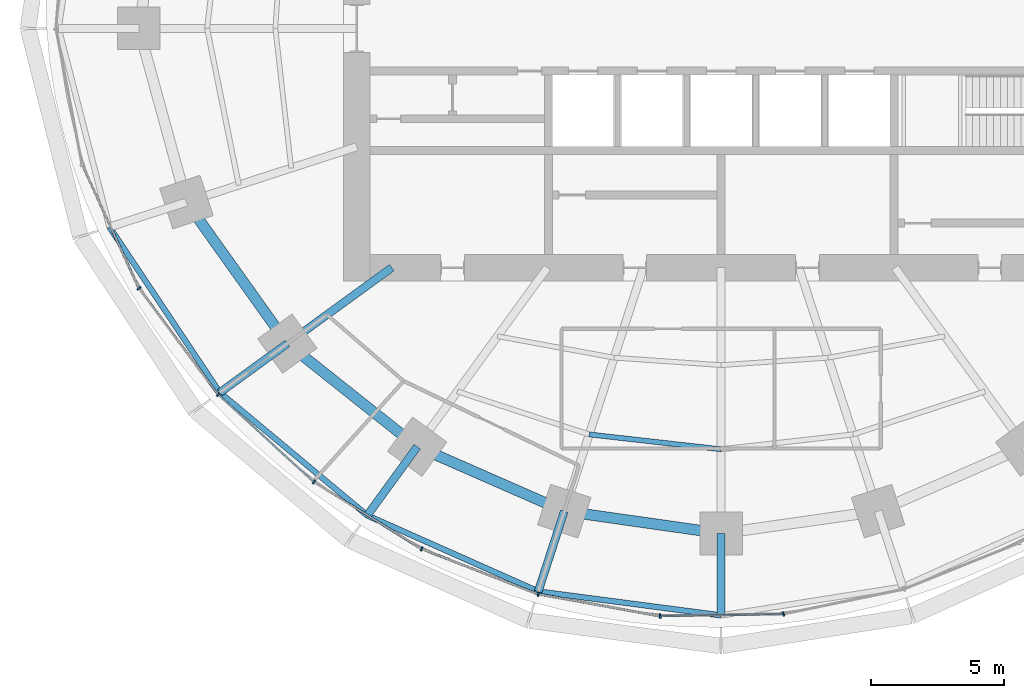
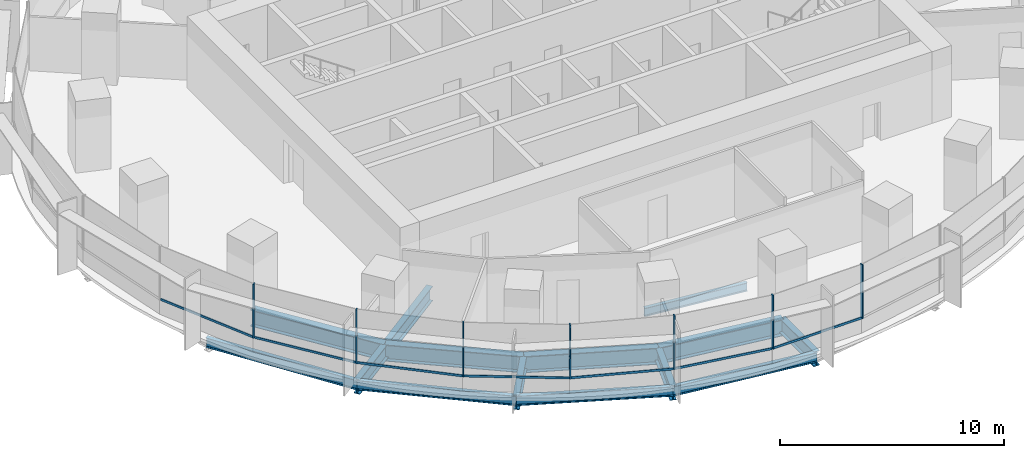
# One storey, part 2 of 14: 14 beams, 14 members, 2 elements without a shape of their own.
"""IFC4 building model written with IfcOpenShell, lengths in metres."""

from ifc_helpers import new_model, si_unit, direction, frame, origin, origin_2d, place, context, subcontext, project, spatial, rectangle, i_section, extrude, material, material_profile, profile_set, type_object, element, aggregate, save


model = new_model("IFC4")

# Units and contexts
model_context = context("Model", 3, precision=1e-05, world=origin(), true_north=direction((0.0, 1.0)))
body_context = subcontext(model_context, "Body", "Model", "MODEL_VIEW")
ifc_project = project(units=[si_unit("LENGTHUNIT", "METRE"), si_unit("AREAUNIT", "SQUARE_METRE"), si_unit("VOLUMEUNIT", "CUBIC_METRE"), si_unit("PLANEANGLEUNIT", "RADIAN"), si_unit("MASSUNIT", "GRAM", prefix="KILO")], contexts=[model_context])

# Site, building, storey
site_placement = place(None, origin())
site = spatial("IfcSite", under=ifc_project, at=site_placement, CompositionType="ELEMENT")
building_placement = place(site_placement, origin())
building = spatial("IfcBuilding", under=site, at=building_placement, Name="Marramba Exchange Tower", CompositionType="ELEMENT")
storey_placement = place(building_placement, frame((0.0, 0.0, 158.699951171875)))
storey = spatial("IfcBuildingStorey", under=building, at=storey_placement, Name="L38", CompositionType="ELEMENT", Elevation=158.699951171875)

# Beams
ifc_material_1 = material(Name="Steel AS/NZS 3679.2 grade 300", Category="steel")
ifc_material_profile_1 = material_profile(ifc_material_1, i_section(OverallWidth=0.300048828125, OverallDepth=0.800048828125, WebThickness=0.013916015625, FlangeThickness=0.031982421875, at=origin_2d()), Name="800WB192")
ifc_profile_set_1 = profile_set([ifc_material_profile_1], Name="Steel AS/NZS 3679.2 grade 300")
beam_type_1 = type_object("IfcBeamType", Name="Cantilever girder 800WB192", PredefinedType="BEAM", material=ifc_profile_set_1)
beam_1_placement = place(storey_placement, frame((-16.3154296875, -11.853759765625, -0.56005859375), z_axis=(-0.809025813822, -0.587773113173, 0.0), x_axis=(0.587773113173, -0.809025813822, 0.0)))
element("IfcBeam", 1, at=beam_1_placement, inside=storey, type_object=beam_type_1, Name="Cantilever girder L38 TC13", PredefinedType="BEAM", context=body_context, shape_type="SweptSolid", body=[
    extrude(i_section(OverallWidth=0.300048828125, OverallDepth=0.800048828125, WebThickness=0.013916015625, FlangeThickness=0.031982421875, at=origin_2d()), origin(), (0.0, 0.0, 1.0), 3.132568359375),
])
beam_2_placement = place(storey_placement, frame((-11.430419921875, -15.732666015625, -0.56005859375), z_axis=(-0.587767308424, -0.809030031054, 0.0), x_axis=(0.809030031054, -0.587767308424, 0.0)))
element("IfcBeam", 2, at=beam_2_placement, inside=storey, type_object=beam_type_1, Name="Cantilever girder L38 TC14", PredefinedType="BEAM", context=body_context, shape_type="SweptSolid", body=[
    extrude(i_section(OverallWidth=0.300048828125, OverallDepth=0.800048828125, WebThickness=0.013916015625, FlangeThickness=0.031982421875, at=origin_2d()), origin(), (0.0, 0.0, 1.0), 3.195556640625),
])
beam_3_placement = place(storey_placement, frame((-5.899658203125, -18.156982421875, -0.56005859375), z_axis=(-0.309018232614, -0.951056113966, 0.0), x_axis=(0.951056113966, -0.309018232614, 0.0)))
element("IfcBeam", 3, at=beam_3_placement, inside=storey, type_object=beam_type_1, Name="Cantilever girder L38 TC15", PredefinedType="BEAM", context=body_context, shape_type="SweptSolid", body=[
    extrude(i_section(OverallWidth=0.300048828125, OverallDepth=0.800048828125, WebThickness=0.013916015625, FlangeThickness=0.031982421875, at=origin_2d()), origin(), (0.0, 0.0, 1.0), 3.173583984375),
])
beam_4_placement = place(storey_placement, frame((0.0, -18.99609375, -0.56005859375), z_axis=(0.0, -1.0, 0.0), x_axis=(1.0, 0.0, 0.0)))
element("IfcBeam", 4, at=beam_4_placement, inside=storey, type_object=beam_type_1, Name="Cantilever girder L38 TC16", PredefinedType="BEAM", context=body_context, shape_type="SweptSolid", body=[
    extrude(i_section(OverallWidth=0.300048828125, OverallDepth=0.800048828125, WebThickness=0.013916015625, FlangeThickness=0.031982421875, at=origin_2d()), origin(), (0.0, 0.0, 1.0), 3.080810546875),
])
ifc_material_2 = material(Name="Steel AS/NZS 3679.1 grade 300", Category="steel")
ifc_material_profile_2 = material_profile(ifc_material_2, i_section(OverallWidth=0.18994140625, OverallDepth=0.4541015625, WebThickness=0.008544921875, FlangeThickness=0.0126953125, FilletRadius=0.011474609375, at=origin_2d()), Name="460UB67.1")
ifc_profile_set_2 = profile_set([ifc_material_profile_2], Name="Steel AS/NZS 3679.1 grade 300")
beam_type_2 = type_object("IfcBeamType", Name="Floor joist 460UB67.1", PredefinedType="JOIST", material=ifc_profile_set_2)
beam_5_placement = place(storey_placement, frame((-4.9619140625, -15.271484375, -0.386962890625), z_axis=(0.993712018573, -0.111966174106, 0.0), x_axis=(0.111966174106, 0.993712018573, 0.0)))
element("IfcBeam", 5, at=beam_5_placement, inside=storey, type_object=beam_type_2, Name="Joist L38 bay 15 row 2", PredefinedType="JOIST", context=body_context, shape_type="SweptSolid", body=[
    extrude(i_section(OverallWidth=0.18994140625, OverallDepth=0.4541015625, WebThickness=0.008544921875, FlangeThickness=0.0126953125, FilletRadius=0.011474609375, at=origin_2d()), origin(), (0.0, 0.0, 1.0), 4.993408203125),
])

# Curtain wall, members
ifc_material_3 = material(Name="Aluminium framing, bronze anodised", Category="aluminium")
curtain_wall_type = type_object("IfcCurtainWallType", Name="Office ribbon curtain wall", PredefinedType="USERDEFINED", material=ifc_material_3)
curtain_wall_1_placement = place(storey_placement, origin())
curtain_wall_1 = element("IfcCurtainWall", 6, at=curtain_wall_1_placement, inside=storey, type_object=curtain_wall_type, Name="Curtain wall CW4 L38 F16-F20", ObjectType="RIBBON CURTAIN WALL", PredefinedType="USERDEFINED")
ifc_material_4 = material(Name="Aluminium mullion, bronze anodised", Category="aluminium")
ifc_material_profile_3 = material_profile(ifc_material_4, rectangle(XDim=0.159912109375, YDim=0.06005859375, at=origin_2d()), Name="CW4 mullion 60x160")
ifc_profile_set_3 = profile_set([ifc_material_profile_3], Name="Aluminium mullion, bronze anodised")
member_type_1 = type_object("IfcMemberType", Name="Office ribbon curtain wall mullion", PredefinedType="MULLION", material=ifc_profile_set_3)
member_1_placement = place(storey_placement, frame((-21.891357421875, -9.778564453125, 0.800048828125), z_axis=(0.0, 0.0, 1.0), x_axis=(0.802014400683, 0.597304697033, 0.0)))
member_1 = element("IfcMember", 7, at=member_1_placement, type_object=member_type_1, Name="CW4 mullion 1", PredefinedType="MULLION", context=body_context, shape_type="SweptSolid", body=[
    extrude(rectangle(XDim=0.159912109375, YDim=0.06005859375, at=origin_2d()), origin(), (0.0, 0.0, 1.0), 2.93994140625),
])
member_2_placement = place(storey_placement, frame((-18.90869140625, -13.774169921875, 0.800048828125), z_axis=(0.0, 0.0, 1.0), x_axis=(0.674995455115, 0.737821886077, 0.0)))
member_2 = element("IfcMember", 8, at=member_2_placement, type_object=member_type_1, Name="CW4 mullion 1", PredefinedType="MULLION", context=body_context, shape_type="SweptSolid", body=[
    extrude(rectangle(XDim=0.159912109375, YDim=0.06005859375, at=origin_2d()), origin(), (0.0, 0.0, 1.0), 2.93994140625),
])
member_3_placement = place(storey_placement, frame((-15.315673828125, -17.053955078125, 0.800048828125), z_axis=(0.0, 0.0, 1.0), x_axis=(0.52942844364, 0.84835459748, 0.0)))
member_3 = element("IfcMember", 9, at=member_3_placement, type_object=member_type_1, Name="CW4 mullion 1", PredefinedType="MULLION", context=body_context, shape_type="SweptSolid", body=[
    extrude(rectangle(XDim=0.159912109375, YDim=0.06005859375, at=origin_2d()), origin(), (0.0, 0.0, 1.0), 2.93994140625),
])

curtain_wall_2_placement = place(storey_placement, origin())
curtain_wall_2 = element("IfcCurtainWall", 10, at=curtain_wall_2_placement, inside=storey, type_object=curtain_wall_type, Name="Curtain wall CW4 L38 F21-F25", ObjectType="RIBBON CURTAIN WALL", PredefinedType="USERDEFINED")
member_4_placement = place(storey_placement, frame((-11.266845703125, -19.573974609375, 0.800048828125), z_axis=(0.0, 0.0, 1.0), x_axis=(0.36292490603, 0.931818390344, 0.0)))
member_4 = element("IfcMember", 11, at=member_4_placement, type_object=member_type_1, Name="CW4 mullion 1", PredefinedType="MULLION", context=body_context, shape_type="SweptSolid", body=[
    extrude(rectangle(XDim=0.159912109375, YDim=0.06005859375, at=origin_2d()), origin(), (0.0, 0.0, 1.0), 2.93994140625),
])
member_5_placement = place(storey_placement, frame((-6.881591796875, -21.27587890625, 0.800048828125), z_axis=(0.0, 0.0, 1.0), x_axis=(0.177992379115, 0.984031865834, 0.0)))
member_5 = element("IfcMember", 12, at=member_5_placement, type_object=member_type_1, Name="CW4 mullion 1", PredefinedType="MULLION", context=body_context, shape_type="SweptSolid", body=[
    extrude(rectangle(XDim=0.159912109375, YDim=0.06005859375, at=origin_2d()), origin(), (0.0, 0.0, 1.0), 2.93994140625),
])
member_6_placement = place(storey_placement, frame((-2.292724609375, -22.099853515625, 0.800048828125), z_axis=(0.0, 0.0, 1.0), x_axis=(-0.015178646521, 0.999884797709, 0.0)))
member_6 = element("IfcMember", 13, at=member_6_placement, type_object=member_type_1, Name="CW4 mullion 1", PredefinedType="MULLION", context=body_context, shape_type="SweptSolid", body=[
    extrude(rectangle(XDim=0.159912109375, YDim=0.06005859375, at=origin_2d()), origin(), (0.0, 0.0, 1.0), 2.93994140625),
])
member_7_placement = place(storey_placement, frame((2.3447265625, -22.02392578125, 0.800048828125), z_axis=(0.0, 0.0, 1.0), x_axis=(-0.202364850159, 0.979310199794, 0.0)))
member_7 = element("IfcMember", 14, at=member_7_placement, type_object=member_type_1, Name="CW4 mullion 1", PredefinedType="MULLION", context=body_context, shape_type="SweptSolid", body=[
    extrude(rectangle(XDim=0.159912109375, YDim=0.06005859375, at=origin_2d()), origin(), (0.0, 0.0, 1.0), 2.93994140625),
])

# Member
ifc_material_5 = material(Name="Aluminium transom, bronze anodised", Category="aluminium")
ifc_material_profile_4 = material_profile(ifc_material_5, rectangle(XDim=0.06005859375, YDim=0.1201171875, at=origin_2d()), Name="CW4 transom 60x120")
ifc_profile_set_4 = profile_set([ifc_material_profile_4], Name="Aluminium transom, bronze anodised")
member_type_2 = type_object("IfcMemberType", Name="Office ribbon curtain wall transom", PredefinedType="USERDEFINED", material=ifc_profile_set_4)
member_8_placement = place(storey_placement, frame((-24.013671875, -5.1640625, 0.830078125), z_axis=(0.416732948599, -0.909028959688, 0.0), x_axis=(0.909028959688, 0.416732948599, 0.0)))
member_8 = element("IfcMember", 15, at=member_8_placement, type_object=member_type_2, Name="CW4 sill transom", ObjectType="TRANSOM", PredefinedType="USERDEFINED", context=body_context, shape_type="SweptSolid", body=[
    extrude(rectangle(XDim=0.06005859375, YDim=0.1201171875, at=origin_2d()), origin(), (0.0, 0.0, 1.0), 5.050048828125),
])

member_9_placement = place(storey_placement, frame((-21.873291015625, -9.802734375, 0.830078125), z_axis=(0.597300736643, -0.80201735019, 0.0), x_axis=(0.80201735019, 0.597300736643, 0.0)))
member_9 = element("IfcMember", 16, at=member_9_placement, type_object=member_type_2, Name="CW4 sill transom", ObjectType="TRANSOM", PredefinedType="USERDEFINED", context=body_context, shape_type="SweptSolid", body=[
    extrude(rectangle(XDim=0.06005859375, YDim=0.1201171875, at=origin_2d()), origin(), (0.0, 0.0, 1.0), 4.926513671875),
])

member_10_placement = place(storey_placement, frame((-18.886474609375, -13.79443359375, 0.830078125), z_axis=(0.737807565469, -0.675011108306, 0.0), x_axis=(0.675011108306, 0.737807565469, 0.0)))
member_10 = element("IfcMember", 17, at=member_10_placement, type_object=member_type_2, Name="CW4 sill transom", ObjectType="TRANSOM", PredefinedType="USERDEFINED", context=body_context, shape_type="SweptSolid", body=[
    extrude(rectangle(XDim=0.06005859375, YDim=0.1201171875, at=origin_2d()), origin(), (0.0, 0.0, 1.0), 4.805419921875),
])

member_11_placement = place(storey_placement, frame((-15.2900390625, -17.06982421875, 0.830078125), z_axis=(0.848373790728, -0.529397687193, 0.0), x_axis=(0.529397687193, 0.848373790728, 0.0)))
member_11 = element("IfcMember", 18, at=member_11_placement, type_object=member_type_2, Name="CW4 sill transom", ObjectType="TRANSOM", PredefinedType="USERDEFINED", context=body_context, shape_type="SweptSolid", body=[
    extrude(rectangle(XDim=0.06005859375, YDim=0.1201171875, at=origin_2d()), origin(), (0.0, 0.0, 1.0), 4.70947265625),
])

aggregate(curtain_wall_1, [member_8, member_1, member_9, member_2, member_10, member_3, member_11])

member_12_placement = place(storey_placement, frame((-11.23876953125, -19.5849609375, 0.830078125), z_axis=(0.931817106708, -0.362928201778, 0.0), x_axis=(0.362928201778, 0.931817106708, 0.0)))
member_12 = element("IfcMember", 19, at=member_12_placement, type_object=member_type_2, Name="CW4 sill transom", ObjectType="TRANSOM", PredefinedType="USERDEFINED", context=body_context, shape_type="SweptSolid", body=[
    extrude(rectangle(XDim=0.06005859375, YDim=0.1201171875, at=origin_2d()), origin(), (0.0, 0.0, 1.0), 4.644287109375),
])

member_13_placement = place(storey_placement, frame((-6.85205078125, -21.281005859375, 0.830078125), z_axis=(0.98402906811, -0.178007845654, 0.0), x_axis=(0.178007845654, 0.98402906811, 0.0)))
member_13 = element("IfcMember", 20, at=member_13_placement, type_object=member_type_2, Name="CW4 sill transom", ObjectType="TRANSOM", PredefinedType="USERDEFINED", context=body_context, shape_type="SweptSolid", body=[
    extrude(rectangle(XDim=0.06005859375, YDim=0.1201171875, at=origin_2d()), origin(), (0.0, 0.0, 1.0), 4.602783203125),
])

member_14_placement = place(storey_placement, frame((-2.262939453125, -22.099365234375, 0.830078125), z_axis=(0.999885345665, 0.015142507235, 0.0), x_axis=(-0.015142507235, 0.999885345665, 0.0)))
member_14 = element("IfcMember", 21, at=member_14_placement, type_object=member_type_2, Name="CW4 sill transom", ObjectType="TRANSOM", PredefinedType="USERDEFINED", context=body_context, shape_type="SweptSolid", body=[
    extrude(rectangle(XDim=0.06005859375, YDim=0.1201171875, at=origin_2d()), origin(), (0.0, 0.0, 1.0), 4.578857421875),
])

aggregate(curtain_wall_2, [member_4, member_12, member_5, member_13, member_6, member_14, member_7])

# Beams
ifc_material_profile_5 = material_profile(ifc_material_1, i_section(OverallWidth=0.300048828125, OverallDepth=0.800048828125, WebThickness=0.013916015625, FlangeThickness=0.031982421875, at=origin_2d()), Name="800WB192")
ifc_profile_set_5 = profile_set([ifc_material_profile_5], Name="Steel AS/NZS 3679.2 grade 300")
beam_type_3 = type_object("IfcBeamType", Name="Radial girder 800WB192", PredefinedType="BEAM", material=ifc_profile_set_5)
beam_6_placement = place(storey_placement, frame((-12.387451171875, -9.0, -0.56005859375), z_axis=(-0.809025189606, -0.58777397236, 0.0), x_axis=(0.58777397236, -0.809025189606, 0.0)))
element("IfcBeam", 22, at=beam_6_placement, inside=storey, type_object=beam_type_3, Name="Radial girder L38 TC13", PredefinedType="BEAM", context=body_context, shape_type="SweptSolid", body=[
    extrude(i_section(OverallWidth=0.300048828125, OverallDepth=0.800048828125, WebThickness=0.013916015625, FlangeThickness=0.031982421875, at=origin_2d()), origin(), (0.0, 0.0, 1.0), 4.855224609375),
])
ifc_material_profile_6 = material_profile(ifc_material_1, i_section(OverallWidth=0.39990234375, OverallDepth=0.89990234375, WebThickness=0.01611328125, FlangeThickness=0.031982421875, at=origin_2d()), Name="900WB282")
ifc_profile_set_6 = profile_set([ifc_material_profile_6], Name="Steel AS/NZS 3679.2 grade 300")
beam_type_4 = type_object("IfcBeamType", Name="Ring beam 900WB282", PredefinedType="SPANDREL", material=ifc_profile_set_6)
beam_7_placement = place(storey_placement, frame((-20.109375, -6.533935546875, -0.60986328125), z_axis=(0.580637181111, -0.814162430914, 0.0), x_axis=(0.814162430914, 0.580637181111, 0.0)))
element("IfcBeam", 23, at=beam_7_placement, inside=storey, type_object=beam_type_4, Name="Ring beam L38 TC12-TC13", PredefinedType="SPANDREL", context=body_context, shape_type="SweptSolid", body=[
    extrude(i_section(OverallWidth=0.39990234375, OverallDepth=0.89990234375, WebThickness=0.01611328125, FlangeThickness=0.031982421875, at=origin_2d()), origin(), (0.0, 0.0, 1.0), 6.5341796875),
])
beam_8_placement = place(storey_placement, frame((-16.3154296875, -11.853759765625, -0.60986328125), z_axis=(0.783139438128, -0.621846138887, 0.0), x_axis=(0.621846138887, 0.783139438128, 0.0)))
element("IfcBeam", 24, at=beam_8_placement, inside=storey, type_object=beam_type_4, Name="Ring beam L38 TC13-TC14", PredefinedType="SPANDREL", context=body_context, shape_type="SweptSolid", body=[
    extrude(i_section(OverallWidth=0.39990234375, OverallDepth=0.89990234375, WebThickness=0.01611328125, FlangeThickness=0.031982421875, at=origin_2d()), origin(), (0.0, 0.0, 1.0), 6.23779296875),
])
beam_9_placement = place(storey_placement, frame((-11.430419921875, -15.732666015625, -0.60986328125), z_axis=(0.915876892158, -0.4014592363, 0.0), x_axis=(0.4014592363, 0.915876892158, 0.0)))
element("IfcBeam", 25, at=beam_9_placement, inside=storey, type_object=beam_type_4, Name="Ring beam L38 TC14-TC15", PredefinedType="SPANDREL", context=body_context, shape_type="SweptSolid", body=[
    extrude(i_section(OverallWidth=0.39990234375, OverallDepth=0.89990234375, WebThickness=0.01611328125, FlangeThickness=0.031982421875, at=origin_2d()), origin(), (0.0, 0.0, 1.0), 6.038818359375),
])
beam_10_placement = place(storey_placement, frame((-5.899658203125, -18.156982421875, -0.60986328125), z_axis=(0.990036163016, -0.140813337152, 0.0), x_axis=(0.140813337152, 0.990036163016, 0.0)))
element("IfcBeam", 26, at=beam_10_placement, inside=storey, type_object=beam_type_4, Name="Ring beam L38 TC15-TC16", PredefinedType="SPANDREL", context=body_context, shape_type="SweptSolid", body=[
    extrude(i_section(OverallWidth=0.39990234375, OverallDepth=0.89990234375, WebThickness=0.01611328125, FlangeThickness=0.031982421875, at=origin_2d()), origin(), (0.0, 0.0, 1.0), 5.958984375),
])
ifc_material_profile_7 = material_profile(ifc_material_2, i_section(OverallWidth=0.208984375, OverallDepth=0.528076171875, WebThickness=0.009521484375, FlangeThickness=0.01318359375, FilletRadius=0.013916015625, at=origin_2d()), Name="530UB82.0")
ifc_profile_set_7 = profile_set([ifc_material_profile_7], Name="Steel AS/NZS 3679.1 grade 300")
beam_type_5 = type_object("IfcBeamType", Name="Slab edge beam 530UB82.0", PredefinedType="SPANDREL", material=ifc_profile_set_7)
beam_11_placement = place(storey_placement, frame((-23.00341796875, -7.47412109375, -0.424072265625), z_axis=(0.555280023791, -0.831663450669, 0.0), x_axis=(0.831663450669, 0.555280023791, 0.0)))
element("IfcBeam", 27, at=beam_11_placement, inside=storey, type_object=beam_type_5, Name="Slab edge beam L38 TC12-TC13", PredefinedType="SPANDREL", context=body_context, shape_type="SweptSolid", body=[
    extrude(i_section(OverallWidth=0.208984375, OverallDepth=0.528076171875, WebThickness=0.009521484375, FlangeThickness=0.01318359375, FilletRadius=0.013916015625, at=origin_2d()), origin(), (0.0, 0.0, 1.0), 7.480224609375),
])
beam_12_placement = place(storey_placement, frame((-18.849853515625, -13.695068359375, -0.424072265625), z_axis=(0.767874532322, -0.640600267415, 0.0), x_axis=(0.640600267415, 0.767874532322, 0.0)))
element("IfcBeam", 28, at=beam_12_placement, inside=storey, type_object=beam_type_5, Name="Slab edge beam L38 TC13-TC14", PredefinedType="SPANDREL", context=body_context, shape_type="SweptSolid", body=[
    extrude(i_section(OverallWidth=0.208984375, OverallDepth=0.528076171875, WebThickness=0.009521484375, FlangeThickness=0.01318359375, FilletRadius=0.013916015625, at=origin_2d()), origin(), (0.0, 0.0, 1.0), 7.21630859375),
])
beam_13_placement = place(storey_placement, frame((-13.30859375, -18.31787109375, -0.424072265625), z_axis=(0.913788648873, -0.406189986571, 0.0), x_axis=(0.406189986571, 0.913788648873, 0.0)))
element("IfcBeam", 29, at=beam_13_placement, inside=storey, type_object=beam_type_5, Name="Slab edge beam L38 TC14-TC15", PredefinedType="SPANDREL", context=body_context, shape_type="SweptSolid", body=[
    extrude(i_section(OverallWidth=0.208984375, OverallDepth=0.528076171875, WebThickness=0.009521484375, FlangeThickness=0.01318359375, FilletRadius=0.013916015625, at=origin_2d()), origin(), (0.0, 0.0, 1.0), 7.03466796875),
])
beam_14_placement = place(storey_placement, frame((-6.88037109375, -21.17529296875, -0.424072265625), z_axis=(0.991523133546, -0.129930272237, 0.0), x_axis=(0.129930272237, 0.991523133546, 0.0)))
element("IfcBeam", 30, at=beam_14_placement, inside=storey, type_object=beam_type_5, Name="Slab edge beam L38 TC15-TC16", PredefinedType="SPANDREL", context=body_context, shape_type="SweptSolid", body=[
    extrude(i_section(OverallWidth=0.208984375, OverallDepth=0.528076171875, WebThickness=0.009521484375, FlangeThickness=0.01318359375, FilletRadius=0.013916015625, at=origin_2d()), origin(), (0.0, 0.0, 1.0), 6.939208984375),
])

save(model, "model.ifc")
